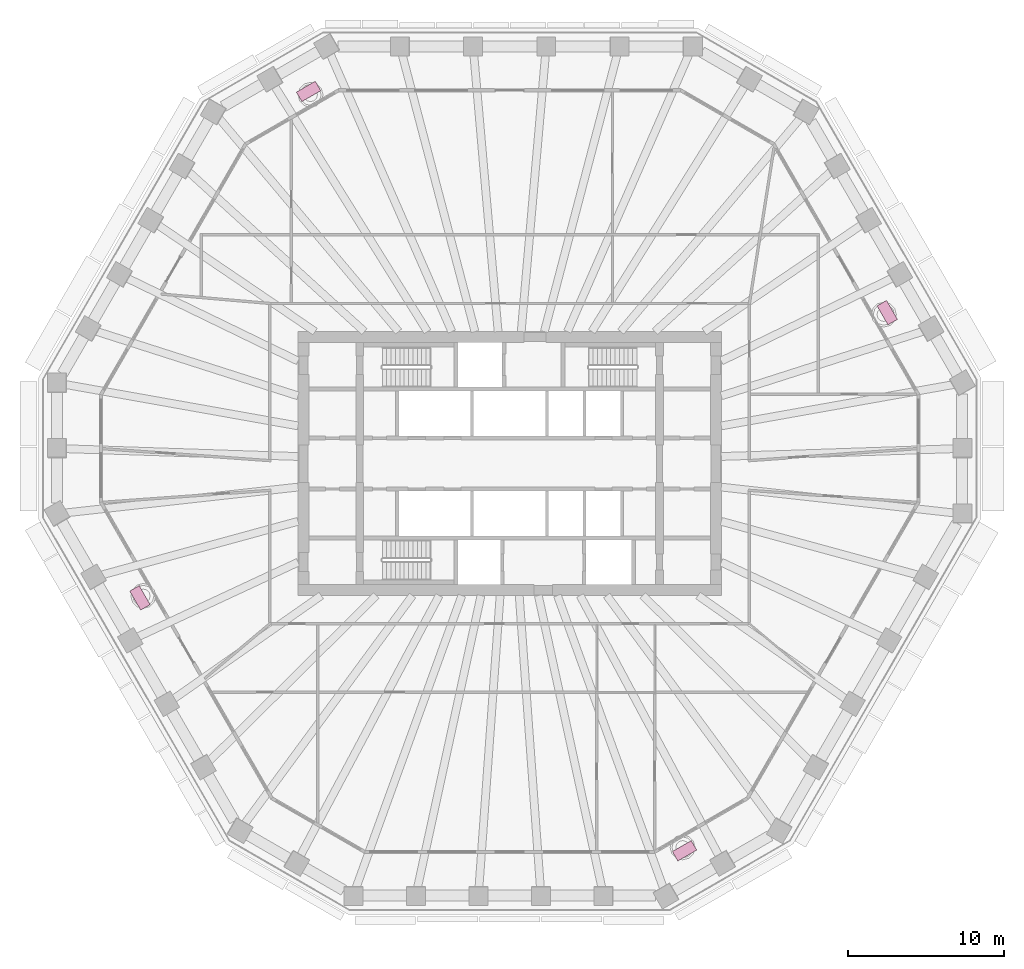
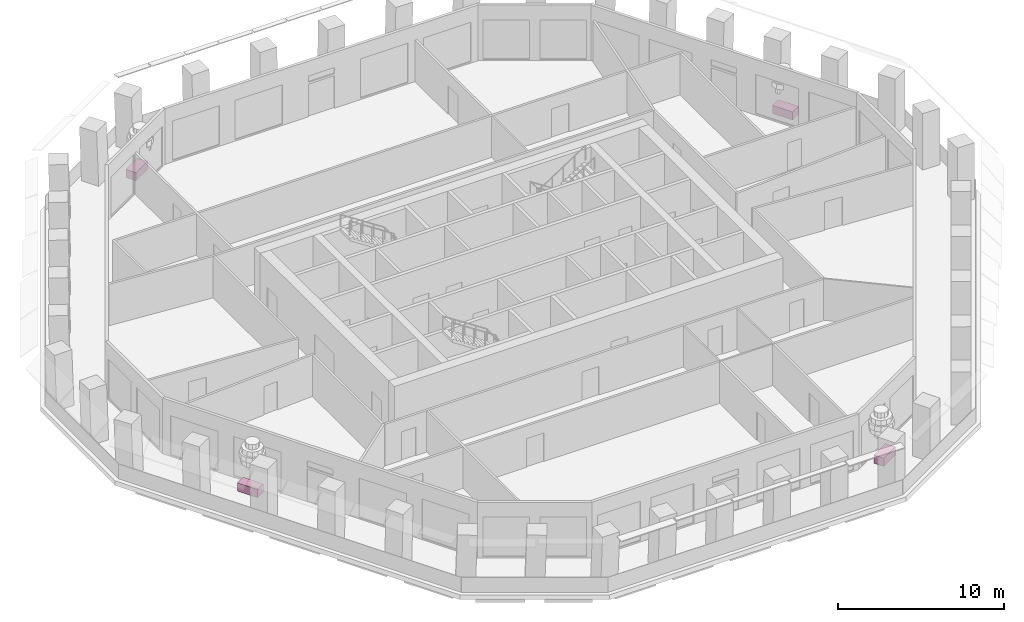
# One storey, part 11 of 12: 4 furniture elements.
"""IFC4 building model written with IfcOpenShell, lengths in metres."""

from ifc_helpers import new_model, si_unit, direction, frame, origin, origin_2d, place, context, subcontext, project, spatial, rectangle, extrude, material, type_object, element, save


model = new_model("IFC4")

# Units and contexts
model_context = context("Model", 3, precision=1e-05, world=origin(), true_north=direction((0.0, 1.0)))
body_context = subcontext(model_context, "Body", "Model", "MODEL_VIEW")
ifc_project = project(units=[si_unit("LENGTHUNIT", "METRE"), si_unit("AREAUNIT", "SQUARE_METRE"), si_unit("VOLUMEUNIT", "CUBIC_METRE"), si_unit("PLANEANGLEUNIT", "RADIAN"), si_unit("MASSUNIT", "GRAM", prefix="KILO")], contexts=[model_context])

# Site, building, storey
site_placement = place(None, origin())
site = spatial("IfcSite", under=ifc_project, at=site_placement, CompositionType="ELEMENT")
building_placement = place(site_placement, origin())
building = spatial("IfcBuilding", under=site, at=building_placement, Name="Frailejon Research Tower", CompositionType="ELEMENT")
storey_placement = place(building_placement, frame((0.0, 0.0, 176.0)))
storey = spatial("IfcBuildingStorey", under=building, at=storey_placement, Name="L38", CompositionType="ELEMENT", Elevation=176.0)

# Furniture
ifc_material = material(Name="Precast concrete C30/37 planter, terracotta", Category="masonry")
furniture_type = type_object("IfcFurnitureType", Name="Loggia planter 1400x700", AssemblyPlace="NOTDEFINED", PredefinedType="USERDEFINED", material=ifc_material)
for number, where, z_axis, x_axis, name in (
    (1, (24.17529296875, 9.6630859375, 0.0), (0.0, 0.0, 1.0), (-0.5, 0.866025403784, 0.0), "Planter L38"),
    (2, (-12.8740234375, 23.826904296875, 0.0), (0.0, 0.0, 1.0), (-0.866025403784, -0.5, 0.0), "Planter L38"),
    (3, (-23.672119140625, -8.598388671875, 0.0), (0.0, 0.0, 1.0), (0.5, -0.866025403784, 0.0), "Planter L38"),
    (4, (11.197509765625, -24.794677734375, 0.0), (0.0, 0.0, 1.0), (0.866025403784, 0.5, 0.0), "Planter L38"),
):
    element("IfcFurniture", number, at=place(storey_placement, frame(where, z_axis=z_axis, x_axis=x_axis)), inside=storey, type_object=furniture_type, Name=name, ObjectType="PLANTER", PredefinedType="USERDEFINED", context=body_context, shape_type="SweptSolid", body=[
        extrude(rectangle(XDim=1.39990234375, YDim=0.699951171875, at=origin_2d()), origin(), (0.0, 0.0, 1.0), 0.60009765625),
    ])

save(model, "model.ifc")
